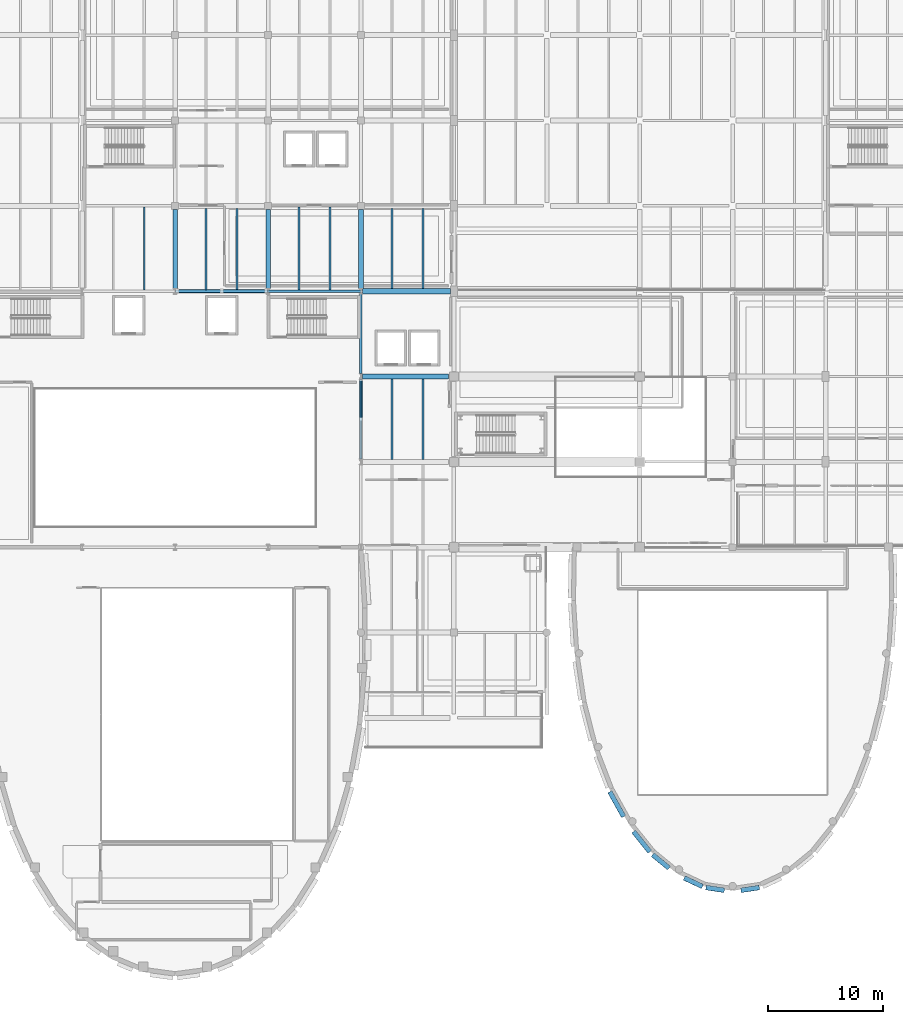
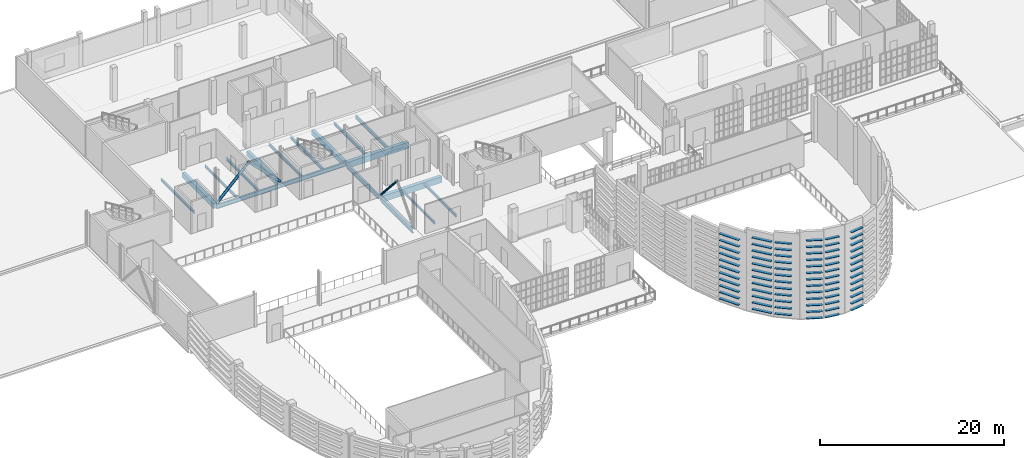
# One storey, part 9 of 73: 77 members, 18 beams.
"""IFC4 building model written with IfcOpenShell, lengths in metres."""

from ifc_helpers import new_model, si_unit, direction, frame, origin, origin_2d, place, context, subcontext, project, spatial, rectangle, hollow_rectangle, hollow_circle, i_section, extrude, material, material_profile, profile_set, type_object, element, save


model = new_model("IFC4")

# Units and contexts
model_context = context("Model", 3, precision=1e-05, world=origin(), true_north=direction((0.0, 1.0)))
body_context = subcontext(model_context, "Body", "Model", "MODEL_VIEW")
ifc_project = project(units=[si_unit("LENGTHUNIT", "METRE"), si_unit("AREAUNIT", "SQUARE_METRE"), si_unit("VOLUMEUNIT", "CUBIC_METRE"), si_unit("PLANEANGLEUNIT", "RADIAN"), si_unit("MASSUNIT", "GRAM", prefix="KILO")], contexts=[model_context])

# Site, building, storey
site_placement = place(None, origin())
site = spatial("IfcSite", under=ifc_project, at=site_placement, CompositionType="ELEMENT")
building_placement = place(site_placement, origin())
building = spatial("IfcBuilding", under=site, at=building_placement, Name="Kaelora Sail Theatre", CompositionType="ELEMENT")
storey_placement = place(building_placement, frame((0.0, 0.0, 10.199951171875)))
storey = spatial("IfcBuildingStorey", under=building, at=storey_placement, Name="L02", CompositionType="ELEMENT", Elevation=10.199951171875)

# Members
ifc_material_1 = material(Name="Anodised aluminium 6063-T6", Category="aluminium")
ifc_material_profile_1 = material_profile(ifc_material_1, hollow_rectangle(XDim=0.419921875, YDim=0.054931640625, WallThickness=0.00390625, InnerFilletRadius=0.00390625, OuterFilletRadius=0.008056640625, at=origin_2d()), Name="LOUVRE 420x55x4")
ifc_profile_set_1 = profile_set([ifc_material_profile_1], Name="Anodised aluminium 6063-T6")
member_type_1 = type_object("IfcMemberType", Name="ARC-MEM-LVR-420", PredefinedType="USERDEFINED", material=ifc_profile_set_1)
for number, where, z_axis, x_axis, name in (
    (1, (92.9248046875, 31.35107421875, 0.130126953125), (-0.988605679587, -0.15052843681, 0.0), (0.15052843681, -0.988605679587, 0.0), "Studio Theatre Sail Drum horizontal solar louvre C10-09"),
    (2, (92.9248046875, 31.35107421875, 0.989990234375), (-0.988605679587, -0.15052843681, 0.0), (0.15052843681, -0.988605679587, 0.0), "Studio Theatre Sail Drum horizontal solar louvre C10-10"),
    (3, (92.9248046875, 31.35107421875, 1.85009765625), (-0.988605679587, -0.15052843681, 0.0), (0.15052843681, -0.988605679587, 0.0), "Studio Theatre Sail Drum horizontal solar louvre C10-11"),
    (4, (92.9248046875, 31.35107421875, 2.7099609375), (-0.988605679587, -0.15052843681, 0.0), (0.15052843681, -0.988605679587, 0.0), "Studio Theatre Sail Drum horizontal solar louvre C10-12"),
    (5, (92.9248046875, 31.35107421875, 3.570068359375), (-0.988605679587, -0.15052843681, 0.0), (0.15052843681, -0.988605679587, 0.0), "Studio Theatre Sail Drum horizontal solar louvre C10-13"),
    (6, (92.9248046875, 31.35107421875, 4.429931640625), (-0.988605679587, -0.15052843681, 0.0), (0.15052843681, -0.988605679587, 0.0), "Studio Theatre Sail Drum horizontal solar louvre C10-14"),
    (7, (92.9248046875, 31.35107421875, 5.2900390625), (-0.988605679587, -0.15052843681, 0.0), (0.15052843681, -0.988605679587, 0.0), "Studio Theatre Sail Drum horizontal solar louvre C10-15"),
    (8, (92.9248046875, 31.35107421875, 6.150146484375), (-0.988605679587, -0.15052843681, 0.0), (0.15052843681, -0.988605679587, 0.0), "Studio Theatre Sail Drum horizontal solar louvre C10-16"),
    (9, (92.9248046875, 31.35107421875, 7.010009765625), (-0.988605679587, -0.15052843681, 0.0), (0.15052843681, -0.988605679587, 0.0), "Studio Theatre Sail Drum horizontal solar louvre C10-17"),
    (10, (92.9248046875, 31.35107421875, 7.8701171875), (-0.988605679587, -0.15052843681, 0.0), (0.15052843681, -0.988605679587, 0.0), "Studio Theatre Sail Drum horizontal solar louvre C10-18"),
    (11, (92.9248046875, 31.35107421875, 8.72998046875), (-0.988605679587, -0.15052843681, 0.0), (0.15052843681, -0.988605679587, 0.0), "Studio Theatre Sail Drum horizontal solar louvre C10-19"),
    (12, (92.9248046875, 31.35107421875, 9.590087890625), (-0.988605679587, -0.15052843681, 0.0), (0.15052843681, -0.988605679587, 0.0), "Studio Theatre Sail Drum horizontal solar louvre C10-20"),
    (13, (92.9248046875, 31.35107421875, 10.449951171875), (-0.988605679587, -0.15052843681, 0.0), (0.15052843681, -0.988605679587, 0.0), "Studio Theatre Sail Drum horizontal solar louvre C10-21"),
    (14, (89.876953125, 31.107177734375, 0.130126953125), (-0.988605679587, 0.15052843681, 0.0), (-0.15052843681, -0.988605679587, 0.0), "Studio Theatre Sail Drum horizontal solar louvre C11-09"),
    (15, (89.876953125, 31.107177734375, 0.989990234375), (-0.988605679587, 0.15052843681, 0.0), (-0.15052843681, -0.988605679587, 0.0), "Studio Theatre Sail Drum horizontal solar louvre C11-10"),
    (16, (89.876953125, 31.107177734375, 1.85009765625), (-0.988605679587, 0.15052843681, 0.0), (-0.15052843681, -0.988605679587, 0.0), "Studio Theatre Sail Drum horizontal solar louvre C11-11"),
    (17, (89.876953125, 31.107177734375, 2.7099609375), (-0.988605679587, 0.15052843681, 0.0), (-0.15052843681, -0.988605679587, 0.0), "Studio Theatre Sail Drum horizontal solar louvre C11-12"),
    (18, (89.876953125, 31.107177734375, 3.570068359375), (-0.988605679587, 0.15052843681, 0.0), (-0.15052843681, -0.988605679587, 0.0), "Studio Theatre Sail Drum horizontal solar louvre C11-13"),
    (19, (89.876953125, 31.107177734375, 4.429931640625), (-0.988605679587, 0.15052843681, 0.0), (-0.15052843681, -0.988605679587, 0.0), "Studio Theatre Sail Drum horizontal solar louvre C11-14"),
    (20, (89.876953125, 31.107177734375, 5.2900390625), (-0.988605679587, 0.15052843681, 0.0), (-0.15052843681, -0.988605679587, 0.0), "Studio Theatre Sail Drum horizontal solar louvre C11-15"),
    (21, (89.876953125, 31.107177734375, 6.150146484375), (-0.988605679587, 0.15052843681, 0.0), (-0.15052843681, -0.988605679587, 0.0), "Studio Theatre Sail Drum horizontal solar louvre C11-16"),
    (22, (89.876953125, 31.107177734375, 7.010009765625), (-0.988605679587, 0.15052843681, 0.0), (-0.15052843681, -0.988605679587, 0.0), "Studio Theatre Sail Drum horizontal solar louvre C11-17"),
    (23, (89.876953125, 31.107177734375, 7.8701171875), (-0.988605679587, 0.15052843681, 0.0), (-0.15052843681, -0.988605679587, 0.0), "Studio Theatre Sail Drum horizontal solar louvre C11-18"),
    (24, (89.876953125, 31.107177734375, 8.72998046875), (-0.988605679587, 0.15052843681, 0.0), (-0.15052843681, -0.988605679587, 0.0), "Studio Theatre Sail Drum horizontal solar louvre C11-19"),
    (25, (89.876953125, 31.107177734375, 9.590087890625), (-0.988605679587, 0.15052843681, 0.0), (-0.15052843681, -0.988605679587, 0.0), "Studio Theatre Sail Drum horizontal solar louvre C11-20"),
    (26, (89.876953125, 31.107177734375, 10.449951171875), (-0.988605679587, 0.15052843681, 0.0), (-0.15052843681, -0.988605679587, 0.0), "Studio Theatre Sail Drum horizontal solar louvre C11-21"),
):
    element("IfcMember", number, at=place(storey_placement, frame(where, z_axis=z_axis, x_axis=x_axis)), inside=storey, type_object=member_type_1, Name=name, ObjectType="LOUVRE", PredefinedType="USERDEFINED", context=body_context, shape_type="SweptSolid", body=[
        extrude(hollow_rectangle(XDim=0.419921875, YDim=0.054931640625, WallThickness=0.00390625, InnerFilletRadius=0.00390625, OuterFilletRadius=0.008056640625, at=origin_2d()), origin(), (0.0, 0.0, 1.0), 1.620361328125),
    ])
for number, where, z_axis, x_axis, name in (
    (27, (87.96728515625, 31.4453125, 0.130126953125), (-0.905643423999, 0.424040078963, 0.0), (-0.424040078963, -0.905643423999, 0.0), "Studio Theatre Sail Drum horizontal solar louvre C12-09"),
    (28, (87.96728515625, 31.4453125, 0.989990234375), (-0.905643423999, 0.424040078963, 0.0), (-0.424040078963, -0.905643423999, 0.0), "Studio Theatre Sail Drum horizontal solar louvre C12-10"),
    (29, (87.96728515625, 31.4453125, 1.85009765625), (-0.905643423999, 0.424040078963, 0.0), (-0.424040078963, -0.905643423999, 0.0), "Studio Theatre Sail Drum horizontal solar louvre C12-11"),
    (30, (87.96728515625, 31.4453125, 2.7099609375), (-0.905643423999, 0.424040078963, 0.0), (-0.424040078963, -0.905643423999, 0.0), "Studio Theatre Sail Drum horizontal solar louvre C12-12"),
    (31, (87.96728515625, 31.4453125, 3.570068359375), (-0.905643423999, 0.424040078963, 0.0), (-0.424040078963, -0.905643423999, 0.0), "Studio Theatre Sail Drum horizontal solar louvre C12-13"),
    (32, (87.96728515625, 31.4453125, 4.429931640625), (-0.905643423999, 0.424040078963, 0.0), (-0.424040078963, -0.905643423999, 0.0), "Studio Theatre Sail Drum horizontal solar louvre C12-14"),
    (33, (87.96728515625, 31.4453125, 5.2900390625), (-0.905643423999, 0.424040078963, 0.0), (-0.424040078963, -0.905643423999, 0.0), "Studio Theatre Sail Drum horizontal solar louvre C12-15"),
    (34, (87.96728515625, 31.4453125, 6.150146484375), (-0.905643423999, 0.424040078963, 0.0), (-0.424040078963, -0.905643423999, 0.0), "Studio Theatre Sail Drum horizontal solar louvre C12-16"),
    (35, (87.96728515625, 31.4453125, 7.010009765625), (-0.905643423999, 0.424040078963, 0.0), (-0.424040078963, -0.905643423999, 0.0), "Studio Theatre Sail Drum horizontal solar louvre C12-17"),
    (36, (87.96728515625, 31.4453125, 7.8701171875), (-0.905643423999, 0.424040078963, 0.0), (-0.424040078963, -0.905643423999, 0.0), "Studio Theatre Sail Drum horizontal solar louvre C12-18"),
    (37, (87.96728515625, 31.4453125, 8.72998046875), (-0.905643423999, 0.424040078963, 0.0), (-0.424040078963, -0.905643423999, 0.0), "Studio Theatre Sail Drum horizontal solar louvre C12-19"),
    (38, (87.96728515625, 31.4453125, 9.590087890625), (-0.905643423999, 0.424040078963, 0.0), (-0.424040078963, -0.905643423999, 0.0), "Studio Theatre Sail Drum horizontal solar louvre C12-20"),
    (39, (87.96728515625, 31.4453125, 10.449951171875), (-0.905643423999, 0.424040078963, 0.0), (-0.424040078963, -0.905643423999, 0.0), "Studio Theatre Sail Drum horizontal solar louvre C12-21"),
):
    element("IfcMember", number, at=place(storey_placement, frame(where, z_axis=z_axis, x_axis=x_axis)), inside=storey, type_object=member_type_1, Name=name, ObjectType="LOUVRE", PredefinedType="USERDEFINED", context=body_context, shape_type="SweptSolid", body=[
        extrude(hollow_rectangle(XDim=0.419921875, YDim=0.054931640625, WallThickness=0.00390625, InnerFilletRadius=0.00390625, OuterFilletRadius=0.008056640625, at=origin_2d()), origin(), (0.0, 0.0, 1.0), 1.747314453125),
    ])
for number, where, z_axis, x_axis, name in (
    (40, (85.054443359375, 33.045654296875, 0.510009765625), (-0.773004989186, 0.634399942223, 0.0), (-0.634399942223, -0.773004989186, 0.0), "Studio Theatre Sail Drum horizontal solar louvre C13-12"),
    (41, (85.054443359375, 33.045654296875, 1.3701171875), (-0.773004989186, 0.634399942223, 0.0), (-0.634399942223, -0.773004989186, 0.0), "Studio Theatre Sail Drum horizontal solar louvre C13-13"),
    (42, (85.054443359375, 33.045654296875, 2.22998046875), (-0.773004989186, 0.634399942223, 0.0), (-0.634399942223, -0.773004989186, 0.0), "Studio Theatre Sail Drum horizontal solar louvre C13-14"),
    (43, (85.054443359375, 33.045654296875, 3.090087890625), (-0.773004989186, 0.634399942223, 0.0), (-0.634399942223, -0.773004989186, 0.0), "Studio Theatre Sail Drum horizontal solar louvre C13-15"),
    (44, (85.054443359375, 33.045654296875, 3.949951171875), (-0.773004989186, 0.634399942223, 0.0), (-0.634399942223, -0.773004989186, 0.0), "Studio Theatre Sail Drum horizontal solar louvre C13-16"),
    (45, (85.054443359375, 33.045654296875, 4.81005859375), (-0.773004989186, 0.634399942223, 0.0), (-0.634399942223, -0.773004989186, 0.0), "Studio Theatre Sail Drum horizontal solar louvre C13-17"),
    (46, (85.054443359375, 33.045654296875, 5.670166015625), (-0.773004989186, 0.634399942223, 0.0), (-0.634399942223, -0.773004989186, 0.0), "Studio Theatre Sail Drum horizontal solar louvre C13-18"),
    (47, (85.054443359375, 33.045654296875, 6.530029296875), (-0.773004989186, 0.634399942223, 0.0), (-0.634399942223, -0.773004989186, 0.0), "Studio Theatre Sail Drum horizontal solar louvre C13-19"),
    (48, (85.054443359375, 33.045654296875, 7.39013671875), (-0.773004989186, 0.634399942223, 0.0), (-0.634399942223, -0.773004989186, 0.0), "Studio Theatre Sail Drum horizontal solar louvre C13-20"),
    (49, (85.054443359375, 33.045654296875, 8.25), (-0.773004989186, 0.634399942223, 0.0), (-0.634399942223, -0.773004989186, 0.0), "Studio Theatre Sail Drum horizontal solar louvre C13-21"),
    (50, (85.054443359375, 33.045654296875, 9.110107421875), (-0.773004989186, 0.634399942223, 0.0), (-0.634399942223, -0.773004989186, 0.0), "Studio Theatre Sail Drum horizontal solar louvre C13-22"),
    (51, (85.054443359375, 33.045654296875, 9.969970703125), (-0.773004989186, 0.634399942223, 0.0), (-0.634399942223, -0.773004989186, 0.0), "Studio Theatre Sail Drum horizontal solar louvre C13-23"),
):
    element("IfcMember", number, at=place(storey_placement, frame(where, z_axis=z_axis, x_axis=x_axis)), inside=storey, type_object=member_type_1, Name=name, ObjectType="LOUVRE", PredefinedType="USERDEFINED", context=body_context, shape_type="SweptSolid", body=[
        extrude(hollow_rectangle(XDim=0.419921875, YDim=0.054931640625, WallThickness=0.00390625, InnerFilletRadius=0.00390625, OuterFilletRadius=0.008056640625, at=origin_2d()), origin(), (0.0, 0.0, 1.0), 1.840576171875),
    ])
for number, where, z_axis, x_axis, name in (
    (52, (83.386962890625, 34.462890625, 0.510009765625), (-0.626203094841, 0.779659979742, 0.0), (-0.779659979742, -0.626203094841, 0.0), "Studio Theatre Sail Drum horizontal solar louvre C14-12"),
    (53, (83.386962890625, 34.462890625, 1.3701171875), (-0.626203094841, 0.779659979742, 0.0), (-0.779659979742, -0.626203094841, 0.0), "Studio Theatre Sail Drum horizontal solar louvre C14-13"),
    (54, (83.386962890625, 34.462890625, 2.22998046875), (-0.626203094841, 0.779659979742, 0.0), (-0.779659979742, -0.626203094841, 0.0), "Studio Theatre Sail Drum horizontal solar louvre C14-14"),
    (55, (83.386962890625, 34.462890625, 3.090087890625), (-0.626203094841, 0.779659979742, 0.0), (-0.779659979742, -0.626203094841, 0.0), "Studio Theatre Sail Drum horizontal solar louvre C14-15"),
    (56, (83.386962890625, 34.462890625, 3.949951171875), (-0.626203094841, 0.779659979742, 0.0), (-0.779659979742, -0.626203094841, 0.0), "Studio Theatre Sail Drum horizontal solar louvre C14-16"),
    (57, (83.386962890625, 34.462890625, 4.81005859375), (-0.626203094841, 0.779659979742, 0.0), (-0.779659979742, -0.626203094841, 0.0), "Studio Theatre Sail Drum horizontal solar louvre C14-17"),
    (58, (83.386962890625, 34.462890625, 5.670166015625), (-0.626203094841, 0.779659979742, 0.0), (-0.779659979742, -0.626203094841, 0.0), "Studio Theatre Sail Drum horizontal solar louvre C14-18"),
    (59, (83.386962890625, 34.462890625, 6.530029296875), (-0.626203094841, 0.779659979742, 0.0), (-0.779659979742, -0.626203094841, 0.0), "Studio Theatre Sail Drum horizontal solar louvre C14-19"),
    (60, (83.386962890625, 34.462890625, 7.39013671875), (-0.626203094841, 0.779659979742, 0.0), (-0.779659979742, -0.626203094841, 0.0), "Studio Theatre Sail Drum horizontal solar louvre C14-20"),
    (61, (83.386962890625, 34.462890625, 8.25), (-0.626203094841, 0.779659979742, 0.0), (-0.779659979742, -0.626203094841, 0.0), "Studio Theatre Sail Drum horizontal solar louvre C14-21"),
    (62, (83.386962890625, 34.462890625, 9.110107421875), (-0.626203094841, 0.779659979742, 0.0), (-0.779659979742, -0.626203094841, 0.0), "Studio Theatre Sail Drum horizontal solar louvre C14-22"),
    (63, (83.386962890625, 34.462890625, 9.969970703125), (-0.626203094841, 0.779659979742, 0.0), (-0.779659979742, -0.626203094841, 0.0), "Studio Theatre Sail Drum horizontal solar louvre C14-23"),
):
    element("IfcMember", number, at=place(storey_placement, frame(where, z_axis=z_axis, x_axis=x_axis)), inside=storey, type_object=member_type_1, Name=name, ObjectType="LOUVRE", PredefinedType="USERDEFINED", context=body_context, shape_type="SweptSolid", body=[
        extrude(hollow_rectangle(XDim=0.419921875, YDim=0.054931640625, WallThickness=0.00390625, InnerFilletRadius=0.00390625, OuterFilletRadius=0.008056640625, at=origin_2d()), origin(), (0.0, 0.0, 1.0), 2.268798828125),
    ])
for number, where, z_axis, x_axis, name in (
    (64, (81.1025390625, 37.533203125, 0.510009765625), (-0.485852103854, 0.874041036325, 0.0), (-0.874041036325, -0.485852103854, 0.0), "Studio Theatre Sail Drum horizontal solar louvre C15-12"),
    (65, (81.1025390625, 37.533203125, 1.3701171875), (-0.485852103854, 0.874041036325, 0.0), (-0.874041036325, -0.485852103854, 0.0), "Studio Theatre Sail Drum horizontal solar louvre C15-13"),
    (66, (81.1025390625, 37.533203125, 2.22998046875), (-0.485852103854, 0.874041036325, 0.0), (-0.874041036325, -0.485852103854, 0.0), "Studio Theatre Sail Drum horizontal solar louvre C15-14"),
    (67, (81.1025390625, 37.533203125, 3.090087890625), (-0.485852103854, 0.874041036325, 0.0), (-0.874041036325, -0.485852103854, 0.0), "Studio Theatre Sail Drum horizontal solar louvre C15-15"),
    (68, (81.1025390625, 37.533203125, 3.949951171875), (-0.485852103854, 0.874041036325, 0.0), (-0.874041036325, -0.485852103854, 0.0), "Studio Theatre Sail Drum horizontal solar louvre C15-16"),
    (69, (81.1025390625, 37.533203125, 4.81005859375), (-0.485852103854, 0.874041036325, 0.0), (-0.874041036325, -0.485852103854, 0.0), "Studio Theatre Sail Drum horizontal solar louvre C15-17"),
    (70, (81.1025390625, 37.533203125, 5.670166015625), (-0.485852103854, 0.874041036325, 0.0), (-0.874041036325, -0.485852103854, 0.0), "Studio Theatre Sail Drum horizontal solar louvre C15-18"),
    (71, (81.1025390625, 37.533203125, 6.530029296875), (-0.485852103854, 0.874041036325, 0.0), (-0.874041036325, -0.485852103854, 0.0), "Studio Theatre Sail Drum horizontal solar louvre C15-19"),
    (72, (81.1025390625, 37.533203125, 7.39013671875), (-0.485852103854, 0.874041036325, 0.0), (-0.874041036325, -0.485852103854, 0.0), "Studio Theatre Sail Drum horizontal solar louvre C15-20"),
    (73, (81.1025390625, 37.533203125, 8.25), (-0.485852103854, 0.874041036325, 0.0), (-0.874041036325, -0.485852103854, 0.0), "Studio Theatre Sail Drum horizontal solar louvre C15-21"),
    (74, (81.1025390625, 37.533203125, 9.110107421875), (-0.485852103854, 0.874041036325, 0.0), (-0.874041036325, -0.485852103854, 0.0), "Studio Theatre Sail Drum horizontal solar louvre C15-22"),
):
    element("IfcMember", number, at=place(storey_placement, frame(where, z_axis=z_axis, x_axis=x_axis)), inside=storey, type_object=member_type_1, Name=name, ObjectType="LOUVRE", PredefinedType="USERDEFINED", context=body_context, shape_type="SweptSolid", body=[
        extrude(hollow_rectangle(XDim=0.419921875, YDim=0.054931640625, WallThickness=0.00390625, InnerFilletRadius=0.00390625, OuterFilletRadius=0.008056640625, at=origin_2d()), origin(), (0.0, 0.0, 1.0), 2.477294921875),
    ])

# Beams
ifc_material_2 = material(Name="Steel S355", Category="steel")
ifc_material_profile_2 = material_profile(ifc_material_2, i_section(OverallWidth=0.18994140625, OverallDepth=0.449951171875, WebThickness=0.009521484375, FlangeThickness=0.0146484375, FilletRadius=0.02099609375, at=origin_2d()), Name="IPE 450")
ifc_profile_set_2 = profile_set([ifc_material_profile_2], Name="Steel S355")
beam_type_1 = type_object("IfcBeamType", Name="STR-BM-BM-IPE450", PredefinedType="BEAM", material=ifc_profile_set_2)
beam_1_placement = place(storey_placement, frame((63.60009765625, 83.56494140625, -0.52001953125), z_axis=(0.0, 1.0, 0.0), x_axis=(-1.0, 0.0, 0.0)))
element("IfcBeam", 75, at=beam_1_placement, inside=storey, type_object=beam_type_1, Name="Secondary floor joist 8/L-2 (L02)", PredefinedType="BEAM", context=body_context, shape_type="SweptSolid", body=[
    extrude(i_section(OverallWidth=0.18994140625, OverallDepth=0.449951171875, WebThickness=0.009521484375, FlangeThickness=0.0146484375, FilletRadius=0.02099609375, at=origin_2d()), origin(), (0.0, 0.0, 1.0), 6.989990234375),
])
ifc_material_3 = material(Name="Steel S355", Category="steel")
ifc_material_profile_3 = material_profile(ifc_material_3, i_section(OverallWidth=0.2099609375, OverallDepth=0.550048828125, WebThickness=0.010986328125, FlangeThickness=0.01708984375, FilletRadius=0.02392578125, at=origin_2d()), Name="IPE 550")
ifc_profile_set_3 = profile_set([ifc_material_profile_3], Name="Steel S355")
beam_type_2 = type_object("IfcBeamType", Name="STR-BM-BM-IPE550", PredefinedType="USERDEFINED", material=ifc_profile_set_3)
for number, where, z_axis, x_axis, name in (
    (76, (42.009033203125, 83.340087890625, -0.570068359375), (1.0, 0.0, 0.0), (0.0, 1.0, 0.0), "Primary beam L 6-7 (L02)"),
    (77, (50.10888671875, 83.340087890625, -0.570068359375), (1.0, 0.0, 0.0), (0.0, 1.0, 0.0), "Primary beam L 7-8 (L02)"),
):
    element("IfcBeam", number, at=place(storey_placement, frame(where, z_axis=z_axis, x_axis=x_axis)), inside=storey, type_object=beam_type_2, Name=name, ObjectType="GIRDER", PredefinedType="USERDEFINED", context=body_context, shape_type="SweptSolid", body=[
        extrude(i_section(OverallWidth=0.2099609375, OverallDepth=0.550048828125, WebThickness=0.010986328125, FlangeThickness=0.01708984375, FilletRadius=0.02392578125, at=origin_2d()), origin(), (0.0, 0.0, 1.0), 8.08203125),
    ])
ifc_material_4 = material(Name="Steel S355", Category="steel")
ifc_material_profile_4 = material_profile(ifc_material_4, i_section(OverallWidth=0.219970703125, OverallDepth=0.60009765625, WebThickness=0.011962890625, FlangeThickness=0.01904296875, FilletRadius=0.02392578125, at=origin_2d()), Name="IPE 600")
ifc_profile_set_4 = profile_set([ifc_material_profile_4], Name="Steel S355")
beam_type_3 = type_object("IfcBeamType", Name="STR-BM-BM-IPE600", PredefinedType="USERDEFINED", material=ifc_profile_set_4)
beam_2_placement = place(storey_placement, frame((58.199951171875, 68.7099609375, -0.594970703125), z_axis=(0.0, 1.0, 0.0), x_axis=(-1.0, 0.0, 0.0)))
element("IfcBeam", 78, at=beam_2_placement, inside=storey, type_object=beam_type_3, Name="Primary beam 8 J-K (L02)", ObjectType="GIRDER", PredefinedType="USERDEFINED", context=body_context, shape_type="SweptSolid", body=[
    extrude(i_section(OverallWidth=0.219970703125, OverallDepth=0.60009765625, WebThickness=0.011962890625, FlangeThickness=0.01904296875, FilletRadius=0.02392578125, at=origin_2d()), origin(), (0.0, 0.0, 1.0), 6.93994140625),
])
beam_3_placement = place(storey_placement, frame((58.199951171875, 76.14990234375, -0.594970703125), z_axis=(0.0, 1.0, 0.0), x_axis=(-1.0, 0.0, 0.0)))
element("IfcBeam", 79, at=beam_3_placement, inside=storey, type_object=beam_type_3, Name="Primary beam 8 K-L (L02)", ObjectType="GIRDER", PredefinedType="USERDEFINED", context=body_context, shape_type="SweptSolid", body=[
    extrude(i_section(OverallWidth=0.219970703125, OverallDepth=0.60009765625, WebThickness=0.011962890625, FlangeThickness=0.01904296875, FilletRadius=0.02392578125, at=origin_2d()), origin(), (0.0, 0.0, 1.0), 6.940185546875),
])
ifc_material_5 = material(Name="Concrete C40/50", Category="concrete")
ifc_material_profile_5 = material_profile(ifc_material_5, rectangle(XDim=0.39990234375, YDim=0.64990234375, at=origin_2d()), Name="RC-BM 400x650")
ifc_profile_set_5 = profile_set([ifc_material_profile_5], Name="Concrete C40/50")
beam_type_4 = type_object("IfcBeamType", Name="STR-BM-BM-RC4065", PredefinedType="BEAM", material=ifc_profile_set_5)
for number, where, z_axis, x_axis, name in (
    (80, (42.0, 83.590087890625, -0.619873046875), (0.0, 1.0, 0.0), (-1.0, 0.0, 0.0), "Primary beam 6 L-M (L02)"),
    (81, (50.10009765625, 83.590087890625, -0.619873046875), (0.0, 1.0, 0.0), (-1.0, 0.0, 0.0), "Primary beam 7 L-M (L02)"),
    (82, (58.199951171875, 83.590087890625, -0.619873046875), (0.0, 1.0, 0.0), (-1.0, 0.0, 0.0), "Primary beam 8 L-M (L02)"),
):
    element("IfcBeam", number, at=place(storey_placement, frame(where, z_axis=z_axis, x_axis=x_axis)), inside=storey, type_object=beam_type_4, Name=name, PredefinedType="BEAM", context=body_context, shape_type="SweptSolid", body=[
        extrude(rectangle(XDim=0.39990234375, YDim=0.64990234375, at=origin_2d()), origin(), (0.0, 0.0, 1.0), 6.889892578125),
    ])
ifc_material_6 = material(Name="Concrete C45/55", Category="concrete")
ifc_material_profile_6 = material_profile(ifc_material_6, rectangle(XDim=0.449951171875, YDim=0.800048828125, at=origin_2d()), Name="RC-BM 450x800")
ifc_profile_set_6 = profile_set([ifc_material_profile_6], Name="Concrete C45/55")
beam_type_5 = type_object("IfcBeamType", Name="STR-BM-BM-RC4580", PredefinedType="BEAM", material=ifc_profile_set_6)
beam_4_placement = place(storey_placement, frame((58.35009765625, 75.89990234375, -0.695068359375), z_axis=(1.0, 0.0, 0.0), x_axis=(0.0, 1.0, 0.0)))
element("IfcBeam", 83, at=beam_4_placement, inside=storey, type_object=beam_type_5, Name="Primary beam K 8-9 (L02)", PredefinedType="BEAM", context=body_context, shape_type="SweptSolid", body=[
    extrude(rectangle(XDim=0.449951171875, YDim=0.800048828125, at=origin_2d()), origin(), (0.0, 0.0, 1.0), 7.5),
])
beam_5_placement = place(storey_placement, frame((58.35009765625, 83.340087890625, -0.695068359375), z_axis=(1.0, 0.0, 0.0), x_axis=(0.0, 1.0, 0.0)))
element("IfcBeam", 84, at=beam_5_placement, inside=storey, type_object=beam_type_5, Name="Primary beam L 8-9 (L02)", PredefinedType="BEAM", context=body_context, shape_type="SweptSolid", body=[
    extrude(rectangle(XDim=0.449951171875, YDim=0.800048828125, at=origin_2d()), origin(), (0.0, 0.0, 1.0), 7.64990234375),
])
ifc_material_7 = material(Name="Steel S355", Category="steel")
ifc_material_profile_7 = material_profile(ifc_material_7, i_section(OverallWidth=0.159912109375, OverallDepth=0.330078125, WebThickness=0.007568359375, FlangeThickness=0.011474609375, FilletRadius=0.01806640625, at=origin_2d()), Name="IPE 330")
ifc_profile_set_7 = profile_set([ifc_material_profile_7], Name="Steel S355")
beam_type_6 = type_object("IfcBeamType", Name="STR-BM-JS-IPE330", PredefinedType="JOIST", material=ifc_profile_set_7)
beam_6_placement = place(storey_placement, frame((39.300048828125, 83.445068359375, -0.4599609375), z_axis=(0.0, 1.0, 0.0), x_axis=(-1.0, 0.0, 0.0)))
element("IfcBeam", 85, at=beam_6_placement, inside=storey, type_object=beam_type_6, Name="Secondary floor joist 5/L-2 (L02)", PredefinedType="JOIST", context=body_context, shape_type="SweptSolid", body=[
    extrude(i_section(OverallWidth=0.159912109375, OverallDepth=0.330078125, WebThickness=0.007568359375, FlangeThickness=0.011474609375, FilletRadius=0.01806640625, at=origin_2d()), origin(), (0.0, 0.0, 1.0), 7.23486328125),
])
beam_7_placement = place(storey_placement, frame((44.699951171875, 83.445068359375, -0.4599609375), z_axis=(0.0, 1.0, 0.0), x_axis=(-1.0, 0.0, 0.0)))
element("IfcBeam", 86, at=beam_7_placement, inside=storey, type_object=beam_type_6, Name="Secondary floor joist 6/L-1 (L02)", PredefinedType="JOIST", context=body_context, shape_type="SweptSolid", body=[
    extrude(i_section(OverallWidth=0.159912109375, OverallDepth=0.330078125, WebThickness=0.007568359375, FlangeThickness=0.011474609375, FilletRadius=0.01806640625, at=origin_2d()), origin(), (0.0, 0.0, 1.0), 7.10986328125),
])
beam_8_placement = place(storey_placement, frame((60.89990234375, 68.68505859375, -0.4599609375), z_axis=(0.0, 1.0, 0.0), x_axis=(-1.0, 0.0, 0.0)))
element("IfcBeam", 87, at=beam_8_placement, inside=storey, type_object=beam_type_6, Name="Secondary floor joist 8/J-1 (L02)", PredefinedType="JOIST", context=body_context, shape_type="SweptSolid", body=[
    extrude(i_section(OverallWidth=0.159912109375, OverallDepth=0.330078125, WebThickness=0.007568359375, FlangeThickness=0.011474609375, FilletRadius=0.01806640625, at=origin_2d()), origin(), (0.0, 0.0, 1.0), 6.989990234375),
])
ifc_material_8 = material(Name="Steel S355", Category="steel")
ifc_material_profile_8 = material_profile(ifc_material_8, i_section(OverallWidth=0.169921875, OverallDepth=0.360107421875, WebThickness=0.008056640625, FlangeThickness=0.0126953125, FilletRadius=0.01806640625, at=origin_2d()), Name="IPE 360")
ifc_profile_set_8 = profile_set([ifc_material_profile_8], Name="Steel S355")
beam_type_7 = type_object("IfcBeamType", Name="STR-BM-JS-IPE360", PredefinedType="JOIST", material=ifc_profile_set_8)
beam_9_placement = place(storey_placement, frame((47.39990234375, 83.445068359375, -0.474853515625), z_axis=(0.0, 1.0, 0.0), x_axis=(-1.0, 0.0, 0.0)))
element("IfcBeam", 88, at=beam_9_placement, inside=storey, type_object=beam_type_7, Name="Secondary floor joist 6/L-2 (L02)", PredefinedType="JOIST", context=body_context, shape_type="SweptSolid", body=[
    extrude(i_section(OverallWidth=0.169921875, OverallDepth=0.360107421875, WebThickness=0.008056640625, FlangeThickness=0.0126953125, FilletRadius=0.01806640625, at=origin_2d()), origin(), (0.0, 0.0, 1.0), 7.10986328125),
])
beam_10_placement = place(storey_placement, frame((52.800048828125, 83.445068359375, -0.474853515625), z_axis=(0.0, 1.0, 0.0), x_axis=(-1.0, 0.0, 0.0)))
element("IfcBeam", 89, at=beam_10_placement, inside=storey, type_object=beam_type_7, Name="Secondary floor joist 7/L-1 (L02)", PredefinedType="JOIST", context=body_context, shape_type="SweptSolid", body=[
    extrude(i_section(OverallWidth=0.169921875, OverallDepth=0.360107421875, WebThickness=0.008056640625, FlangeThickness=0.0126953125, FilletRadius=0.01806640625, at=origin_2d()), origin(), (0.0, 0.0, 1.0), 7.23486328125),
])
beam_11_placement = place(storey_placement, frame((63.60009765625, 68.68505859375, -0.474853515625), z_axis=(0.0, 1.0, 0.0), x_axis=(-1.0, 0.0, 0.0)))
element("IfcBeam", 90, at=beam_11_placement, inside=storey, type_object=beam_type_7, Name="Secondary floor joist 8/J-2 (L02)", PredefinedType="JOIST", context=body_context, shape_type="SweptSolid", body=[
    extrude(i_section(OverallWidth=0.169921875, OverallDepth=0.360107421875, WebThickness=0.008056640625, FlangeThickness=0.0126953125, FilletRadius=0.01806640625, at=origin_2d()), origin(), (0.0, 0.0, 1.0), 6.989990234375),
])
ifc_material_9 = material(Name="Steel S355", Category="steel")
ifc_material_profile_9 = material_profile(ifc_material_9, i_section(OverallWidth=0.179931640625, OverallDepth=0.39990234375, WebThickness=0.008544921875, FlangeThickness=0.013427734375, FilletRadius=0.02099609375, at=origin_2d()), Name="IPE 400")
ifc_profile_set_9 = profile_set([ifc_material_profile_9], Name="Steel S355")
beam_type_8 = type_object("IfcBeamType", Name="STR-BM-JS-IPE400", PredefinedType="JOIST", material=ifc_profile_set_9)
beam_12_placement = place(storey_placement, frame((55.5, 83.445068359375, -0.494873046875), z_axis=(0.0, 1.0, 0.0), x_axis=(-1.0, 0.0, 0.0)))
element("IfcBeam", 91, at=beam_12_placement, inside=storey, type_object=beam_type_8, Name="Secondary floor joist 7/L-2 (L02)", PredefinedType="JOIST", context=body_context, shape_type="SweptSolid", body=[
    extrude(i_section(OverallWidth=0.179931640625, OverallDepth=0.39990234375, WebThickness=0.008544921875, FlangeThickness=0.013427734375, FilletRadius=0.02099609375, at=origin_2d()), origin(), (0.0, 0.0, 1.0), 7.23486328125),
])
beam_13_placement = place(storey_placement, frame((60.89990234375, 83.56494140625, -0.494873046875), z_axis=(0.0, 1.0, 0.0), x_axis=(-1.0, 0.0, 0.0)))
element("IfcBeam", 92, at=beam_13_placement, inside=storey, type_object=beam_type_8, Name="Secondary floor joist 8/L-1 (L02)", PredefinedType="JOIST", context=body_context, shape_type="SweptSolid", body=[
    extrude(i_section(OverallWidth=0.179931640625, OverallDepth=0.39990234375, WebThickness=0.008544921875, FlangeThickness=0.013427734375, FilletRadius=0.02099609375, at=origin_2d()), origin(), (0.0, 0.0, 1.0), 6.989990234375),
])

# Members
ifc_material_10 = material(Name="Steel S355", Category="steel")
ifc_material_profile_10 = material_profile(ifc_material_10, hollow_circle(Radius=0.122314453125, WallThickness=0.012451171875, at=origin_2d()), Name="CHS 244.5x12.5")
ifc_profile_set_10 = profile_set([ifc_material_profile_10], Name="Steel S355")
member_type_2 = type_object("IfcMemberType", Name="STR-MEM-BR-CHS244", PredefinedType="BRACE", material=ifc_profile_set_10)
member_placement = place(storey_placement, frame((58.199951171875, 75.669921875, 0.02001953125), z_axis=(0.0, -0.666372341822, 0.74561914008), x_axis=(1.0, 0.0, 0.0)))
element("IfcMember", 93, at=member_placement, inside=storey, type_object=member_type_2, Name="Fly Tower chevron brace L02 EM2", PredefinedType="BRACE", context=body_context, shape_type="SweptSolid", body=[
    extrude(hollow_circle(Radius=0.122314453125, WallThickness=0.012451171875, at=origin_2d()), origin(), (0.0, 0.0, 1.0), 5.2373046875),
])
ifc_material_11 = material(Name="Steel S355", Category="steel")
ifc_material_profile_11 = material_profile(ifc_material_11, hollow_circle(Radius=0.161865234375, WallThickness=0.01611328125, at=origin_2d()), Name="CHS 323.9x16.0")
ifc_profile_set_11 = profile_set([ifc_material_profile_11], Name="Steel S355")
member_type_3 = type_object("IfcMemberType", Name="STR-MEM-BR-CHS324", PredefinedType="BRACE", material=ifc_profile_set_11)
for number, where, z_axis, x_axis, name in (
    (94, (42.159912109375, 83.340087890625, 0.02001953125), (0.705754573542, 0.0, 0.708456407921), (0.0, 1.0, 0.0), "Fly Tower north chevron brace L02 N3-1"),
    (95, (49.93994140625, 83.340087890625, 0.02001953125), (-0.705732341697, 0.0, 0.708478554286), (0.0, -1.0, 0.0), "Fly Tower north chevron brace L02 N3-2"),
):
    element("IfcMember", number, at=place(storey_placement, frame(where, z_axis=z_axis, x_axis=x_axis)), inside=storey, type_object=member_type_3, Name=name, PredefinedType="BRACE", context=body_context, shape_type="SweptSolid", body=[
        extrude(hollow_circle(Radius=0.161865234375, WallThickness=0.01611328125, at=origin_2d()), origin(), (0.0, 0.0, 1.0), 5.511962890625),
    ])

save(model, "model.ifc")
